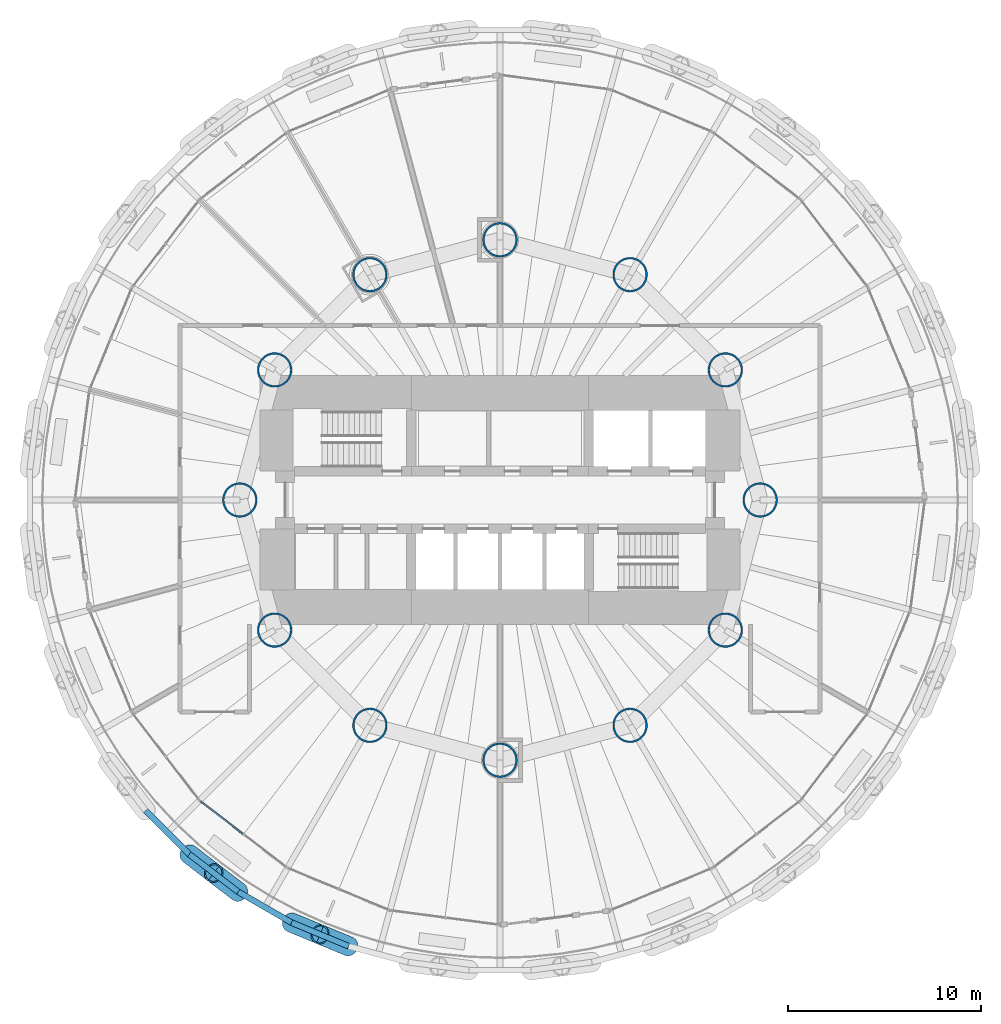
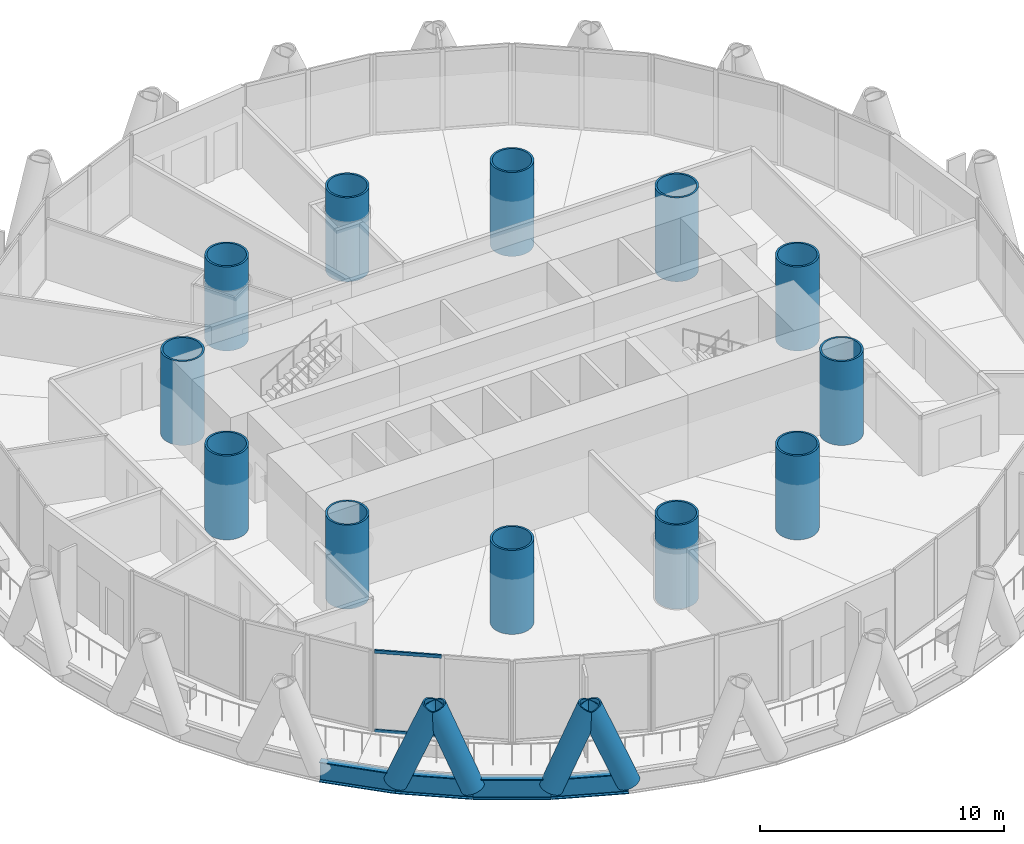
# One storey, part 1 of 16: 12 columns, 6 members, 4 beams, 1 element without a shape of its own.
"""IFC4 building model written with IfcOpenShell, lengths in metres."""

from ifc_helpers import new_model, si_unit, direction, frame, origin, origin_2d, place, context, subcontext, project, spatial, rectangle, hollow_circle, i_section, extrude, material, material_profile, profile_set, type_object, element, aggregate, save


model = new_model("IFC4")

# Units and contexts
model_context = context("Model", 3, precision=1e-05, world=origin(), true_north=direction((0.0, 1.0)))
body_context = subcontext(model_context, "Body", "Model", "MODEL_VIEW")
ifc_project = project(units=[si_unit("LENGTHUNIT", "METRE"), si_unit("AREAUNIT", "SQUARE_METRE"), si_unit("VOLUMEUNIT", "CUBIC_METRE"), si_unit("PLANEANGLEUNIT", "RADIAN"), si_unit("MASSUNIT", "GRAM", prefix="KILO")], contexts=[model_context])

# Site, building, storey
site_placement = place(None, origin())
site = spatial("IfcSite", under=ifc_project, at=site_placement, CompositionType="ELEMENT")
building_placement = place(site_placement, origin())
building = spatial("IfcBuilding", under=site, at=building_placement, Name="Qaws Media Tower", CompositionType="ELEMENT")
storey_placement = place(building_placement, frame((0.0, 0.0, 181.39990234375)))
storey = spatial("IfcBuildingStorey", under=building, at=storey_placement, Name="L41", CompositionType="ELEMENT", Elevation=181.39990234375)

# Columns
ifc_material_1 = material(Name="Steel S460", Category="steel")
ifc_material_profile_1 = material_profile(ifc_material_1, hollow_circle(Radius=0.89990234375, WallThickness=0.090087890625, at=origin_2d()), Name="CHS 1800x90")
ifc_profile_set_1 = profile_set([ifc_material_profile_1], Name="Steel S460")
column_type = type_object("IfcColumnType", Name="Inner column CHS 1800x90", PredefinedType="COLUMN", material=ifc_profile_set_1)
for number, where, z_axis, x_axis, name in (
    (1, (73.5, 50.0, 0.0), (0.0, 0.0, 1.0), (1.0, 0.0, 0.0), "C7 inner column I01 L41"),
    (2, (71.69140625, 56.75, 0.0), (0.0, 0.0, 1.0), (1.0, 0.0, 0.0), "C7 inner column I02 L41"),
    (3, (66.75, 61.69140625, 0.0), (0.0, 0.0, 1.0), (1.0, 0.0, 0.0), "C7 inner column I03 L41"),
    (4, (60.0, 63.5, 0.0), (0.0, 0.0, 1.0), (1.0, 0.0, 0.0), "C7 inner column I04 L41"),
    (5, (53.25, 61.69140625, 0.0), (0.0, 0.0, 1.0), (1.0, 0.0, 0.0), "C7 inner column I05 L41"),
    (6, (48.30859375, 56.75, 0.0), (0.0, 0.0, 1.0), (1.0, 0.0, 0.0), "C7 inner column I06 L41"),
    (7, (46.5, 50.0, 0.0), (0.0, 0.0, 1.0), (1.0, 0.0, 0.0), "C7 inner column I07 L41"),
    (8, (48.30859375, 43.25, 0.0), (0.0, 0.0, 1.0), (1.0, 0.0, 0.0), "C7 inner column I08 L41"),
    (9, (53.25, 38.30859375, 0.0), (0.0, 0.0, 1.0), (1.0, 0.0, 0.0), "C7 inner column I09 L41"),
    (10, (60.0, 36.5, 0.0), (0.0, 0.0, 1.0), (1.0, 0.0, 0.0), "C7 inner column I10 L41"),
    (11, (66.75, 38.30859375, 0.0), (0.0, 0.0, 1.0), (1.0, 0.0, 0.0), "C7 inner column I11 L41"),
    (12, (71.69140625, 43.25, 0.0), (0.0, 0.0, 1.0), (1.0, 0.0, 0.0), "C7 inner column I12 L41"),
):
    element("IfcColumn", number, at=place(storey_placement, frame(where, z_axis=z_axis, x_axis=x_axis)), inside=storey, type_object=column_type, Name=name, PredefinedType="COLUMN", context=body_context, shape_type="SweptSolid", body=[
        extrude(hollow_circle(Radius=0.89990234375, WallThickness=0.090087890625, at=origin_2d()), origin(), (0.0, 0.0, 1.0), 4.2001953125),
    ])

# Curtain wall, members
ifc_material_2 = material(Name="Aluminium and clear glass", Category="aluminium")
curtain_wall_type = type_object("IfcCurtainWallType", Name="Unitised curtain wall CW-B", PredefinedType="NOTDEFINED", material=ifc_material_2)
curtain_wall_placement = place(storey_placement, origin())
curtain_wall = element("IfcCurtainWall", 13, at=curtain_wall_placement, inside=storey, type_object=curtain_wall_type, Name="CWB curtain wall L41-16", PredefinedType="NOTDEFINED")
ifc_material_3 = material(Name="Aluminium transom", Category="aluminium")
ifc_material_profile_2 = material_profile(ifc_material_3, rectangle(XDim=0.080078125, YDim=0.159912109375, at=origin_2d()), Name="80x160")
ifc_profile_set_2 = profile_set([ifc_material_profile_2], Name="Aluminium transom")
member_type_1 = type_object("IfcMemberType", Name="Curtain wall transom 80x160", PredefinedType="USERDEFINED", material=ifc_profile_set_2)
member_1_placement = place(storey_placement, frame((44.4716796875, 34.359619140625, 0.0400390625), z_axis=(0.793376929066, -0.608730686286, 0.0), x_axis=(0.608730686286, 0.793376929066, 0.0)))
member_1 = element("IfcMember", 14, at=member_1_placement, type_object=member_type_1, Name="CWB transom 1.1", ObjectType="TRANSOM", PredefinedType="USERDEFINED", context=body_context, shape_type="SweptSolid", body=[
    extrude(rectangle(XDim=0.080078125, YDim=0.159912109375, at=origin_2d()), origin(), (0.0, 0.0, 1.0), 2.758056640625),
])
member_2_placement = place(storey_placement, frame((44.4716796875, 34.359619140625, 4.0), z_axis=(0.793376929066, -0.608730686286, 0.0), x_axis=(0.608730686286, 0.793376929066, 0.0)))
member_2 = element("IfcMember", 15, at=member_2_placement, type_object=member_type_1, Name="CWB transom 1.2", ObjectType="TRANSOM", PredefinedType="USERDEFINED", context=body_context, shape_type="SweptSolid", body=[
    extrude(rectangle(XDim=0.080078125, YDim=0.159912109375, at=origin_2d()), origin(), (0.0, 0.0, 1.0), 2.758056640625),
])
aggregate(curtain_wall, [member_1, member_2])

# Members
ifc_material_4 = material(Name="Steel S460", Category="steel")
ifc_material_profile_3 = material_profile(ifc_material_4, hollow_circle(Radius=0.508056640625, WallThickness=0.070068359375, at=origin_2d()), Name="CHS 1016x70")
ifc_profile_set_3 = profile_set([ifc_material_profile_3], Name="Steel S460")
member_type_2 = type_object("IfcMemberType", Name="Diagrid member CHS 1016x70", PredefinedType="USERDEFINED", material=ifc_profile_set_3)
for number, where, z_axis, x_axis, name in (
    (16, (43.87890625, 31.617431640625, -0.663818359375), (0.297145919371, -0.2286838659, 0.92704260532), (0.609895190454, 0.792482086019, 0.0), "DG3 diagrid L41 A16"),
    (17, (49.18603515625, 28.071533203125, -0.663818359375), (0.346201593662, -0.144021694718, 0.927039485673), (0.384095011554, 0.923293573084, 0.0), "DG3 diagrid L41 A17"),
):
    element("IfcMember", number, at=place(storey_placement, frame(where, z_axis=z_axis, x_axis=x_axis)), inside=storey, type_object=member_type_2, Name=name, ObjectType="DIAGRID", PredefinedType="USERDEFINED", context=body_context, shape_type="SweptSolid", body=[
        extrude(hollow_circle(Radius=0.508056640625, WallThickness=0.070068359375, at=origin_2d()), origin(), (0.0, 0.0, 1.0), 4.26513671875),
    ])
for number, where, z_axis, x_axis, name in (
    (18, (46.416259765625, 29.670654296875, -0.663818359375), (-0.29778205683, 0.22777293428, 0.927062747089), (-0.60754645004, -0.794284150065, 0.0), "DG3 diagrid L41 B17"),
    (19, (52.140869140625, 26.84765625, -0.663818359375), (-0.346608267327, 0.142936555494, 0.927055473057), (-0.3812412175, -0.924475599504, 0.0), "DG3 diagrid L41 B18"),
):
    element("IfcMember", number, at=place(storey_placement, frame(where, z_axis=z_axis, x_axis=x_axis)), inside=storey, type_object=member_type_2, Name=name, ObjectType="DIAGRID", PredefinedType="USERDEFINED", context=body_context, shape_type="SweptSolid", body=[
        extrude(hollow_circle(Radius=0.508056640625, WallThickness=0.070068359375, at=origin_2d()), origin(), (0.0, 0.0, 1.0), 4.264892578125),
    ])

# Beams
ifc_material_5 = material(Name="Steel S460", Category="steel")
ifc_material_profile_4 = material_profile(ifc_material_5, i_section(OverallWidth=0.302001953125, OverallDepth=1.008056640625, WebThickness=0.02099609375, FlangeThickness=0.0400390625, FilletRadius=0.030029296875, at=origin_2d()), Name="HE 1000 M")
ifc_profile_set_4 = profile_set([ifc_material_profile_4], Name="Steel S460")
beam_type = type_object("IfcBeamType", Name="Edge ring beam HE 1000 M", PredefinedType="BEAM", material=ifc_profile_set_4)
for number, where, z_axis, x_axis, name in (
    (20, (41.617431640625, 33.87890625, -0.663818359375), (0.707106781187, -0.707106781187, 0.0), (0.707106781187, 0.707106781187, 0.0), "RB3 edge ring beam L41-30"),
    (21, (43.87890625, 31.617431640625, -0.663818359375), (0.793383917565, -0.608721577857, 0.0), (0.608721577857, 0.793383917565, 0.0), "RB3 edge ring beam L41-31"),
    (22, (46.416259765625, 29.670654296875, -0.663818359375), (0.866026686418, -0.499997778408, 0.0), (0.499997778408, 0.866026686418, 0.0), "RB3 edge ring beam L41-32"),
    (23, (49.18603515625, 28.071533203125, -0.663818359375), (0.923885651932, -0.382668658443, 0.0), (0.382668658443, 0.923885651932, 0.0), "RB3 edge ring beam L41-33"),
):
    element("IfcBeam", number, at=place(storey_placement, frame(where, z_axis=z_axis, x_axis=x_axis)), inside=storey, type_object=beam_type, Name=name, PredefinedType="BEAM", context=body_context, shape_type="SweptSolid", body=[
        extrude(i_section(OverallWidth=0.302001953125, OverallDepth=1.008056640625, WebThickness=0.02099609375, FlangeThickness=0.0400390625, FilletRadius=0.030029296875, at=origin_2d()), origin(), (0.0, 0.0, 1.0), 3.1982421875),
    ])

save(model, "model.ifc")
